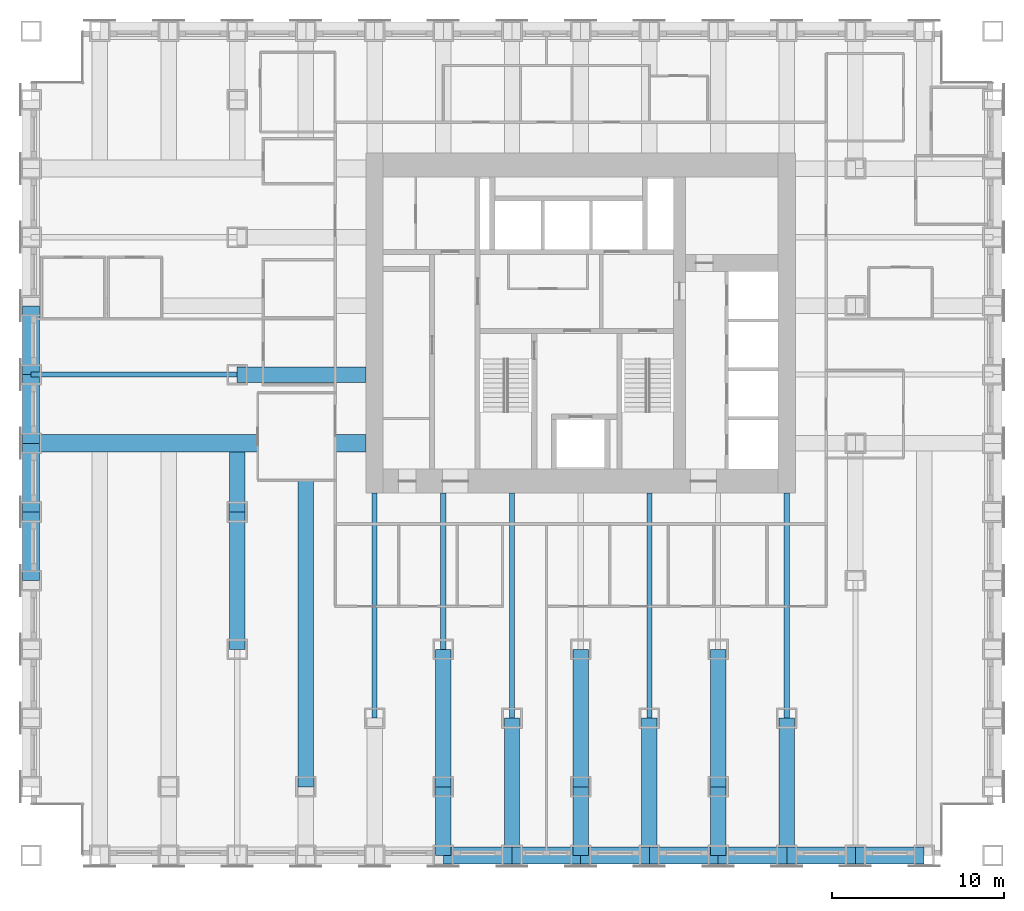
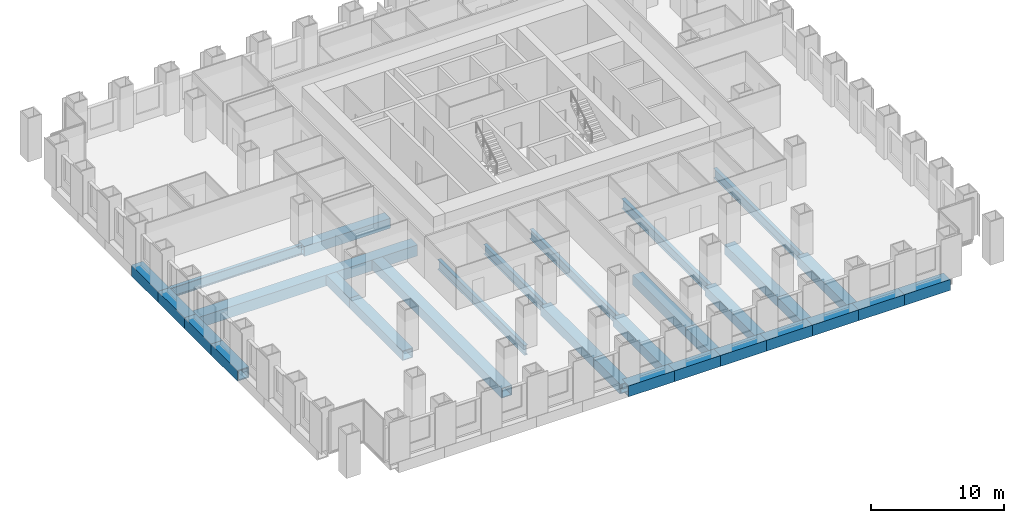
# One storey, part 3 of 15: 31 beams.
"""IFC4 building model written with IfcOpenShell, lengths in metres."""

from ifc_helpers import new_model, si_unit, direction, frame, origin, origin_2d, place, context, subcontext, project, spatial, hollow_rectangle, i_section, extrude, material, material_profile, profile_set, type_object, element, save


model = new_model("IFC4")

# Units and contexts
model_context = context("Model", 3, precision=1e-05, world=origin(), true_north=direction((0.0, 1.0)))
body_context = subcontext(model_context, "Body", "Model", "MODEL_VIEW")
ifc_project = project(units=[si_unit("LENGTHUNIT", "METRE"), si_unit("AREAUNIT", "SQUARE_METRE"), si_unit("VOLUMEUNIT", "CUBIC_METRE"), si_unit("PLANEANGLEUNIT", "RADIAN"), si_unit("MASSUNIT", "GRAM", prefix="KILO")], contexts=[model_context])

# Site, building, storey
site_placement = place(None, origin())
site = spatial("IfcSite", under=ifc_project, at=site_placement, CompositionType="ELEMENT")
building_placement = place(site_placement, origin())
building = spatial("IfcBuilding", under=site, at=building_placement, Name="Rimbunsela Tower", CompositionType="ELEMENT")
storey_placement = place(building_placement, frame((0.0, 0.0, 23.0)))
storey = spatial("IfcBuildingStorey", under=building, at=storey_placement, Name="L05", CompositionType="ELEMENT", Elevation=23.0)

# Beams
ifc_material_1 = material(Name="Steel BJ 55 (fy 410 MPa)", Category="steel")
ifc_material_profile_1 = material_profile(ifc_material_1, hollow_rectangle(XDim=1.0, YDim=1.0, WallThickness=0.10009765625, at=origin_2d()), Name="BOX 1000x1000x100")
ifc_profile_set_1 = profile_set([ifc_material_profile_1], Name="Steel BJ 55 (fy 410 MPa)")
beam_type_1 = type_object("IfcBeamType", Name="Beam BOX 1000x1000x100", PredefinedType="BEAM", material=ifc_profile_set_1)
for number, where, z_axis, x_axis, name in (
    (1, (-2.0, 12.0, -0.64990234375), (0.0, 1.0, 0.0), (-1.0, 0.0, 0.0), "Beam B3 L05"),
    (2, (-2.0, 16.0, -0.64990234375), (0.0, 1.0, 0.0), (-1.0, 0.0, 0.0), "Beam B3 L05"),
    (3, (-2.0, 20.0, -0.64990234375), (0.0, 1.0, 0.0), (-1.0, 0.0, 0.0), "Beam B3 L05"),
):
    element("IfcBeam", number, at=place(storey_placement, frame(where, z_axis=z_axis, x_axis=x_axis)), inside=storey, type_object=beam_type_1, Name=name, PredefinedType="BEAM", context=body_context, shape_type="SweptSolid", body=[
        extrude(hollow_rectangle(XDim=1.0, YDim=1.0, WallThickness=0.10009765625, at=origin_2d()), origin(), (0.0, 0.0, 1.0), 4.0),
    ])
beam_1_placement = place(storey_placement, frame((-2.0, 20.0, -0.64990234375), z_axis=(1.0, 0.0, 0.0), x_axis=(0.0, 1.0, 0.0)))
element("IfcBeam", 4, at=beam_1_placement, inside=storey, type_object=beam_type_1, Name="Beam B3 L05", PredefinedType="BEAM", context=body_context, shape_type="SweptSolid", body=[
    extrude(hollow_rectangle(XDim=1.0, YDim=1.0, WallThickness=0.10009765625, at=origin_2d()), origin(), (0.0, 0.0, 1.0), 19.5),
])
for number, where, z_axis, x_axis, name in (
    (5, (-2.0, 24.0, -0.64990234375), (0.0, 1.0, 0.0), (-1.0, 0.0, 0.0), "Beam B3 L05"),
    (6, (22.0, -4.0, -0.64990234375), (1.0, 0.0, 0.0), (0.0, 1.0, 0.0), "Beam B3 L05"),
    (7, (26.0, -4.0, -0.64990234375), (1.0, 0.0, 0.0), (0.0, 1.0, 0.0), "Beam B3 L05"),
    (8, (30.0, -4.0, -0.64990234375), (1.0, 0.0, 0.0), (0.0, 1.0, 0.0), "Beam B3 L05"),
    (9, (34.0, -4.0, -0.64990234375), (1.0, 0.0, 0.0), (0.0, 1.0, 0.0), "Beam B3 L05"),
    (10, (38.0, -4.0, -0.64990234375), (1.0, 0.0, 0.0), (0.0, 1.0, 0.0), "Beam B3 L05"),
    (11, (42.0, -4.0, -0.64990234375), (1.0, 0.0, 0.0), (0.0, 1.0, 0.0), "Beam B3 L05"),
    (12, (46.0, -4.0, -0.64990234375), (1.0, 0.0, 0.0), (0.0, 1.0, 0.0), "Beam B3 L05"),
):
    element("IfcBeam", number, at=place(storey_placement, frame(where, z_axis=z_axis, x_axis=x_axis)), inside=storey, type_object=beam_type_1, Name=name, PredefinedType="BEAM", context=body_context, shape_type="SweptSolid", body=[
        extrude(hollow_rectangle(XDim=1.0, YDim=1.0, WallThickness=0.10009765625, at=origin_2d()), origin(), (0.0, 0.0, 1.0), 4.0),
    ])
ifc_material_2 = material(Name="Steel BJ 55 (fy 410 MPa)", Category="steel")
ifc_material_profile_2 = material_profile(ifc_material_2, hollow_rectangle(XDim=0.89990234375, YDim=0.89990234375, WallThickness=0.06005859375, at=origin_2d()), Name="BOX 900x900x60")
ifc_profile_set_2 = profile_set([ifc_material_profile_2], Name="Steel BJ 55 (fy 410 MPa)")
beam_type_2 = type_object("IfcBeamType", Name="Beam BOX 900x900x60", PredefinedType="BEAM", material=ifc_profile_set_2)
beam_2_placement = place(storey_placement, frame((10.0, 8.0, -0.60009765625), z_axis=(0.0, 1.0, 0.0), x_axis=(-1.0, 0.0, 0.0)))
element("IfcBeam", 13, at=beam_2_placement, inside=storey, type_object=beam_type_2, Name="Beam B1 L05", PredefinedType="BEAM", context=body_context, shape_type="SweptSolid", body=[
    extrude(hollow_rectangle(XDim=0.89990234375, YDim=0.89990234375, WallThickness=0.06005859375, at=origin_2d()), origin(), (0.0, 0.0, 1.0), 8.0),
])
beam_3_placement = place(storey_placement, frame((10.0, 16.0, -0.60009765625), z_axis=(0.0, 1.0, 0.0), x_axis=(-1.0, 0.0, 0.0)))
element("IfcBeam", 14, at=beam_3_placement, inside=storey, type_object=beam_type_2, Name="Beam B1 L05", PredefinedType="BEAM", context=body_context, shape_type="SweptSolid", body=[
    extrude(hollow_rectangle(XDim=0.89990234375, YDim=0.89990234375, WallThickness=0.06005859375, at=origin_2d()), origin(), (0.0, 0.0, 1.0), 3.5),
])
beam_4_placement = place(storey_placement, frame((10.0, 24.0, -0.60009765625), z_axis=(1.0, 0.0, 0.0), x_axis=(0.0, 1.0, 0.0)))
element("IfcBeam", 15, at=beam_4_placement, inside=storey, type_object=beam_type_2, Name="Beam B1 L05", PredefinedType="BEAM", context=body_context, shape_type="SweptSolid", body=[
    extrude(hollow_rectangle(XDim=0.89990234375, YDim=0.89990234375, WallThickness=0.06005859375, at=origin_2d()), origin(), (0.0, 0.0, 1.0), 7.5),
])
beam_5_placement = place(storey_placement, frame((14.0, 0.0, -0.60009765625), z_axis=(0.0, 1.0, 0.0), x_axis=(-1.0, 0.0, 0.0)))
element("IfcBeam", 16, at=beam_5_placement, inside=storey, type_object=beam_type_2, Name="Beam B1 L05", PredefinedType="BEAM", context=body_context, shape_type="SweptSolid", body=[
    extrude(hollow_rectangle(XDim=0.89990234375, YDim=0.89990234375, WallThickness=0.06005859375, at=origin_2d()), origin(), (0.0, 0.0, 1.0), 19.5),
])
beam_6_placement = place(storey_placement, frame((22.0, -4.0, -0.60009765625), z_axis=(0.0, 1.0, 0.0), x_axis=(-1.0, 0.0, 0.0)))
element("IfcBeam", 17, at=beam_6_placement, inside=storey, type_object=beam_type_2, Name="Beam B1 L05", PredefinedType="BEAM", context=body_context, shape_type="SweptSolid", body=[
    extrude(hollow_rectangle(XDim=0.89990234375, YDim=0.89990234375, WallThickness=0.06005859375, at=origin_2d()), origin(), (0.0, 0.0, 1.0), 4.0),
])
for number, where, z_axis, x_axis, name in (
    (18, (22.0, 0.0, -0.60009765625), (0.0, 1.0, 0.0), (-1.0, 0.0, 0.0), "Beam B1 L05"),
    (19, (26.0, -4.0, -0.60009765625), (0.0, 1.0, 0.0), (-1.0, 0.0, 0.0), "Beam B1 L05"),
):
    element("IfcBeam", number, at=place(storey_placement, frame(where, z_axis=z_axis, x_axis=x_axis)), inside=storey, type_object=beam_type_2, Name=name, PredefinedType="BEAM", context=body_context, shape_type="SweptSolid", body=[
        extrude(hollow_rectangle(XDim=0.89990234375, YDim=0.89990234375, WallThickness=0.06005859375, at=origin_2d()), origin(), (0.0, 0.0, 1.0), 8.0),
    ])
beam_7_placement = place(storey_placement, frame((30.0, -4.0, -0.60009765625), z_axis=(0.0, 1.0, 0.0), x_axis=(-1.0, 0.0, 0.0)))
element("IfcBeam", 20, at=beam_7_placement, inside=storey, type_object=beam_type_2, Name="Beam B1 L05", PredefinedType="BEAM", context=body_context, shape_type="SweptSolid", body=[
    extrude(hollow_rectangle(XDim=0.89990234375, YDim=0.89990234375, WallThickness=0.06005859375, at=origin_2d()), origin(), (0.0, 0.0, 1.0), 4.0),
])
for number, where, z_axis, x_axis, name in (
    (21, (30.0, 0.0, -0.60009765625), (0.0, 1.0, 0.0), (-1.0, 0.0, 0.0), "Beam B1 L05"),
    (22, (34.0, -4.0, -0.60009765625), (0.0, 1.0, 0.0), (-1.0, 0.0, 0.0), "Beam B1 L05"),
):
    element("IfcBeam", number, at=place(storey_placement, frame(where, z_axis=z_axis, x_axis=x_axis)), inside=storey, type_object=beam_type_2, Name=name, PredefinedType="BEAM", context=body_context, shape_type="SweptSolid", body=[
        extrude(hollow_rectangle(XDim=0.89990234375, YDim=0.89990234375, WallThickness=0.06005859375, at=origin_2d()), origin(), (0.0, 0.0, 1.0), 8.0),
    ])
beam_8_placement = place(storey_placement, frame((38.0, -4.0, -0.60009765625), z_axis=(0.0, 1.0, 0.0), x_axis=(-1.0, 0.0, 0.0)))
element("IfcBeam", 23, at=beam_8_placement, inside=storey, type_object=beam_type_2, Name="Beam B1 L05", PredefinedType="BEAM", context=body_context, shape_type="SweptSolid", body=[
    extrude(hollow_rectangle(XDim=0.89990234375, YDim=0.89990234375, WallThickness=0.06005859375, at=origin_2d()), origin(), (0.0, 0.0, 1.0), 4.0),
])
for number, where, z_axis, x_axis, name in (
    (24, (38.0, 0.0, -0.60009765625), (0.0, 1.0, 0.0), (-1.0, 0.0, 0.0), "Beam B1 L05"),
    (25, (42.0, -4.0, -0.60009765625), (0.0, 1.0, 0.0), (-1.0, 0.0, 0.0), "Beam B1 L05"),
):
    element("IfcBeam", number, at=place(storey_placement, frame(where, z_axis=z_axis, x_axis=x_axis)), inside=storey, type_object=beam_type_2, Name=name, PredefinedType="BEAM", context=body_context, shape_type="SweptSolid", body=[
        extrude(hollow_rectangle(XDim=0.89990234375, YDim=0.89990234375, WallThickness=0.06005859375, at=origin_2d()), origin(), (0.0, 0.0, 1.0), 8.0),
    ])
ifc_material_3 = material(Name="Steel BJ 55 (fy 410 MPa)", Category="steel")
ifc_material_profile_3 = material_profile(ifc_material_3, i_section(OverallWidth=0.300048828125, OverallDepth=0.89990234375, WebThickness=0.01611328125, FlangeThickness=0.028076171875, FilletRadius=0.028076171875, at=origin_2d()), Name="H 900x300x16x28")
ifc_profile_set_3 = profile_set([ifc_material_profile_3], Name="Steel BJ 55 (fy 410 MPa)")
beam_type_3 = type_object("IfcBeamType", Name="Beam H 900x300x16x28", PredefinedType="BEAM", material=ifc_profile_set_3)
beam_9_placement = place(storey_placement, frame((-2.0, 24.0, -0.60009765625), z_axis=(1.0, 0.0, 0.0), x_axis=(0.0, 1.0, 0.0)))
element("IfcBeam", 26, at=beam_9_placement, inside=storey, type_object=beam_type_3, Name="Beam B2 L05", PredefinedType="BEAM", context=body_context, shape_type="SweptSolid", body=[
    extrude(i_section(OverallWidth=0.300048828125, OverallDepth=0.89990234375, WebThickness=0.01611328125, FlangeThickness=0.028076171875, FilletRadius=0.028076171875, at=origin_2d()), origin(), (0.0, 0.0, 1.0), 12.0),
])
beam_10_placement = place(storey_placement, frame((18.0, 4.0, -0.60009765625), z_axis=(0.0, 1.0, 0.0), x_axis=(-1.0, 0.0, 0.0)))
element("IfcBeam", 27, at=beam_10_placement, inside=storey, type_object=beam_type_3, Name="Beam B2 L05", PredefinedType="BEAM", context=body_context, shape_type="SweptSolid", body=[
    extrude(i_section(OverallWidth=0.300048828125, OverallDepth=0.89990234375, WebThickness=0.01611328125, FlangeThickness=0.028076171875, FilletRadius=0.028076171875, at=origin_2d()), origin(), (0.0, 0.0, 1.0), 13.10009765625),
])
beam_11_placement = place(storey_placement, frame((22.0, 8.0, -0.60009765625), z_axis=(0.0, 1.0, 0.0), x_axis=(-1.0, 0.0, 0.0)))
element("IfcBeam", 28, at=beam_11_placement, inside=storey, type_object=beam_type_3, Name="Beam B2 L05", PredefinedType="BEAM", context=body_context, shape_type="SweptSolid", body=[
    extrude(i_section(OverallWidth=0.300048828125, OverallDepth=0.89990234375, WebThickness=0.01611328125, FlangeThickness=0.028076171875, FilletRadius=0.028076171875, at=origin_2d()), origin(), (0.0, 0.0, 1.0), 9.10009765625),
])
for number, where, z_axis, x_axis, name in (
    (29, (26.0, 4.0, -0.60009765625), (0.0, 1.0, 0.0), (-1.0, 0.0, 0.0), "Beam B2 L05"),
    (30, (34.0, 4.0, -0.60009765625), (0.0, 1.0, 0.0), (-1.0, 0.0, 0.0), "Beam B2 L05"),
    (31, (42.0, 4.0, -0.60009765625), (0.0, 1.0, 0.0), (-1.0, 0.0, 0.0), "Beam B2 L05"),
):
    element("IfcBeam", number, at=place(storey_placement, frame(where, z_axis=z_axis, x_axis=x_axis)), inside=storey, type_object=beam_type_3, Name=name, PredefinedType="BEAM", context=body_context, shape_type="SweptSolid", body=[
        extrude(i_section(OverallWidth=0.300048828125, OverallDepth=0.89990234375, WebThickness=0.01611328125, FlangeThickness=0.028076171875, FilletRadius=0.028076171875, at=origin_2d()), origin(), (0.0, 0.0, 1.0), 13.10009765625),
    ])

save(model, "model.ifc")
